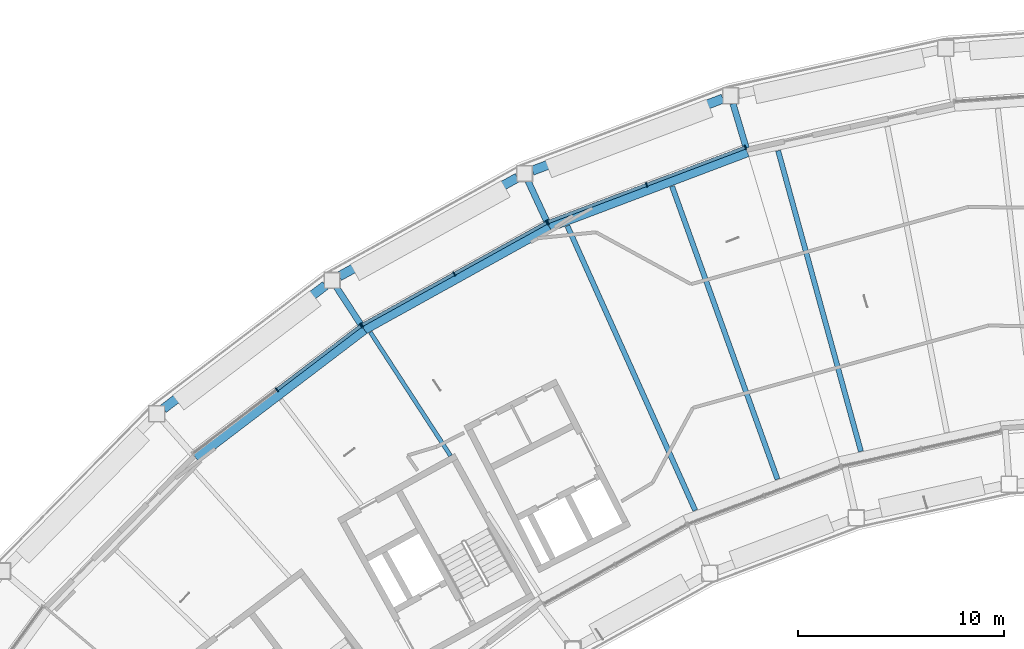
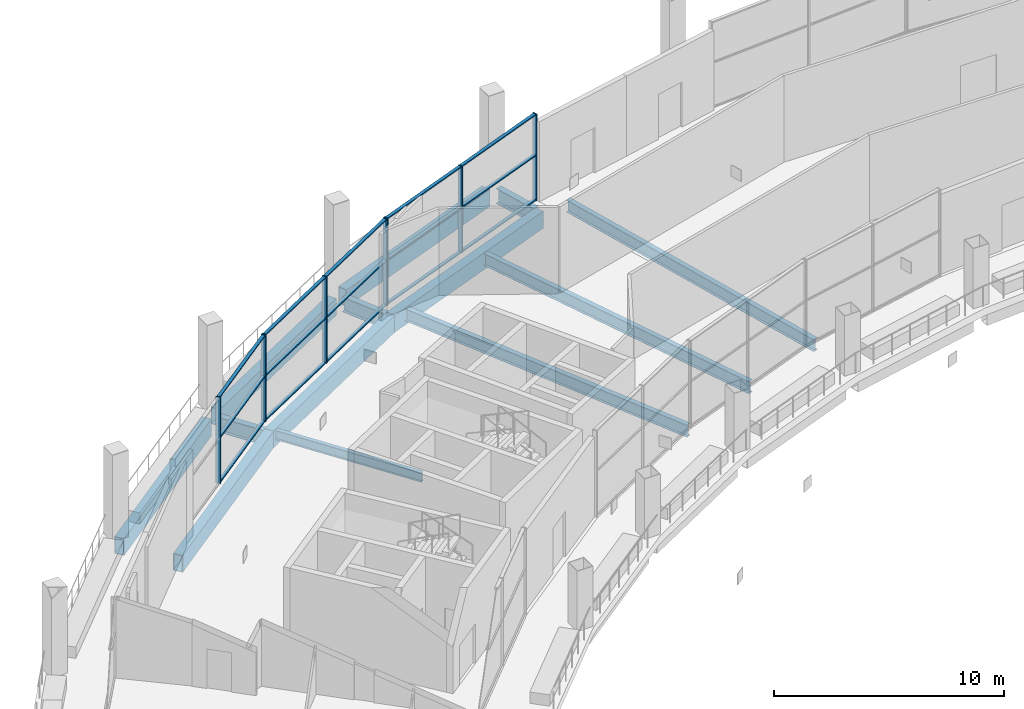
# One storey, part 6 of 29: 23 members, 13 beams, 3 elements without a shape of their own.
"""IFC4 building model written with IfcOpenShell, lengths in metres."""

from ifc_helpers import new_model, si_unit, direction, frame, origin, origin_2d, place, context, subcontext, project, spatial, rectangle, hollow_rectangle, i_section, extrude, material, layer, layer_set, material_profile, profile_set, type_object, element, aggregate, save


model = new_model("IFC4")

# Units and contexts
model_context = context("Model", 3, precision=1e-05, world=origin(), true_north=direction((0.0, 1.0)))
body_context = subcontext(model_context, "Body", "Model", "MODEL_VIEW")
ifc_project = project(units=[si_unit("LENGTHUNIT", "METRE"), si_unit("AREAUNIT", "SQUARE_METRE"), si_unit("VOLUMEUNIT", "CUBIC_METRE"), si_unit("PLANEANGLEUNIT", "RADIAN"), si_unit("MASSUNIT", "GRAM", prefix="KILO")], contexts=[model_context])

# Site, building, storey
site_placement = place(None, origin())
site = spatial("IfcSite", under=ifc_project, at=site_placement, CompositionType="ELEMENT")
building_placement = place(site_placement, origin())
building = spatial("IfcBuilding", under=site, at=building_placement, Name="Tuul Gate Civic Tower", CompositionType="ELEMENT")
storey_placement = place(building_placement, frame((0.0, 0.0, 238.89990234375)))
storey = spatial("IfcBuildingStorey", under=building, at=storey_placement, Name="Sky garden level 2", CompositionType="ELEMENT", Elevation=238.89990234375)

# Curtain wall, members
ifc_material_1 = material(Name="Aluminium", Category="aluminium")
ifc_layer = layer(ifc_material_1, 0.199951171875)
ifc_layer_set = layer_set([ifc_layer], Name="Aluminium")
curtain_wall_type = type_object("IfcCurtainWallType", Name="Curtain wall CW3", PredefinedType="NOTDEFINED", material=ifc_layer_set)
curtain_wall_1_placement = place(storey_placement, origin())
curtain_wall_1 = element("IfcCurtainWall", 1, at=curtain_wall_1_placement, inside=storey, type_object=curtain_wall_type, Name="Curtain wall CW3", PredefinedType="NOTDEFINED")
ifc_material_2 = material(Name="Aluminium", Category="aluminium")
ifc_material_profile_1 = material_profile(ifc_material_2, rectangle(XDim=0.219970703125, YDim=0.06005859375, at=origin_2d()), Name="CW3 mullion")
ifc_profile_set_1 = profile_set([ifc_material_profile_1], Name="Aluminium")
member_type_1 = type_object("IfcMemberType", Name="CW3 mullion", PredefinedType="MULLION", material=ifc_profile_set_1)
member_1_placement = place(storey_placement, frame((-14.421142578125, 12.986328125, 0.0), z_axis=(0.0, 0.0, 1.0), x_axis=(0.353664862395, -0.935372206722, 0.0)))
member_1 = element("IfcMember", 2, at=member_1_placement, type_object=member_type_1, Name="Mullion", PredefinedType="MULLION", context=body_context, shape_type="SweptSolid", body=[
    extrude(rectangle(XDim=0.219970703125, YDim=0.06005859375, at=origin_2d()), origin(), (0.0, 0.0, 1.0), 4.60009765625),
])
member_2_placement = place(storey_placement, frame((-19.21044921875, 11.175537109375, 0.0), z_axis=(0.0, 0.0, 1.0), x_axis=(0.353664862395, -0.935372206722, 0.0)))
member_2 = element("IfcMember", 3, at=member_2_placement, type_object=member_type_1, Name="Mullion", PredefinedType="MULLION", context=body_context, shape_type="SweptSolid", body=[
    extrude(rectangle(XDim=0.219970703125, YDim=0.06005859375, at=origin_2d()), origin(), (0.0, 0.0, 1.0), 4.60009765625),
])
member_3_placement = place(storey_placement, frame((-24.0, 9.364501953125, 0.0), z_axis=(0.0, 0.0, 1.0), x_axis=(0.353664862395, -0.935372206722, 0.0)))
member_3 = element("IfcMember", 4, at=member_3_placement, type_object=member_type_1, Name="Mullion", PredefinedType="MULLION", context=body_context, shape_type="SweptSolid", body=[
    extrude(rectangle(XDim=0.219970703125, YDim=0.06005859375, at=origin_2d()), origin(), (0.0, 0.0, 1.0), 4.60009765625),
])

curtain_wall_2_placement = place(storey_placement, origin())
curtain_wall_2 = element("IfcCurtainWall", 5, at=curtain_wall_2_placement, inside=storey, type_object=curtain_wall_type, Name="Curtain wall CW3", PredefinedType="NOTDEFINED")
member_4_placement = place(storey_placement, frame((-24.05419921875, 9.33935546875, 0.0), z_axis=(0.0, 0.0, 1.0), x_axis=(0.484826682646, -0.874610249079, 0.0)))
member_4 = element("IfcMember", 6, at=member_4_placement, type_object=member_type_1, Name="Mullion", PredefinedType="MULLION", context=body_context, shape_type="SweptSolid", body=[
    extrude(rectangle(XDim=0.219970703125, YDim=0.06005859375, at=origin_2d()), origin(), (0.0, 0.0, 1.0), 4.60009765625),
])
member_5_placement = place(storey_placement, frame((-28.532470703125, 6.85693359375, 0.0), z_axis=(0.0, 0.0, 1.0), x_axis=(0.484826682646, -0.874610249079, 0.0)))
member_5 = element("IfcMember", 7, at=member_5_placement, type_object=member_type_1, Name="Mullion", PredefinedType="MULLION", context=body_context, shape_type="SweptSolid", body=[
    extrude(rectangle(XDim=0.219970703125, YDim=0.06005859375, at=origin_2d()), origin(), (0.0, 0.0, 1.0), 4.60009765625),
])
member_6_placement = place(storey_placement, frame((-33.0107421875, 4.37451171875, 0.0), z_axis=(0.0, 0.0, 1.0), x_axis=(0.484826682646, -0.874610249079, 0.0)))
member_6 = element("IfcMember", 8, at=member_6_placement, type_object=member_type_1, Name="Mullion", PredefinedType="MULLION", context=body_context, shape_type="SweptSolid", body=[
    extrude(rectangle(XDim=0.219970703125, YDim=0.06005859375, at=origin_2d()), origin(), (0.0, 0.0, 1.0), 4.60009765625),
])

curtain_wall_3_placement = place(storey_placement, origin())
curtain_wall_3 = element("IfcCurtainWall", 9, at=curtain_wall_3_placement, inside=storey, type_object=curtain_wall_type, Name="Curtain wall CW3", PredefinedType="NOTDEFINED")
member_7_placement = place(storey_placement, frame((-33.060791015625, 4.341796875, 0.0), z_axis=(0.0, 0.0, 1.0), x_axis=(0.60576239149, -0.795645602675, 0.0)))
member_7 = element("IfcMember", 10, at=member_7_placement, type_object=member_type_1, Name="Mullion", PredefinedType="MULLION", context=body_context, shape_type="SweptSolid", body=[
    extrude(rectangle(XDim=0.219970703125, YDim=0.06005859375, at=origin_2d()), origin(), (0.0, 0.0, 1.0), 4.60009765625),
])
member_8_placement = place(storey_placement, frame((-37.135009765625, 1.239990234375, 0.0), z_axis=(0.0, 0.0, 1.0), x_axis=(0.60576239149, -0.795645602675, 0.0)))
member_8 = element("IfcMember", 11, at=member_8_placement, type_object=member_type_1, Name="Mullion", PredefinedType="MULLION", context=body_context, shape_type="SweptSolid", body=[
    extrude(rectangle(XDim=0.219970703125, YDim=0.06005859375, at=origin_2d()), origin(), (0.0, 0.0, 1.0), 4.60009765625),
])

# Member
ifc_material_3 = material(Name="Aluminium", Category="aluminium")
ifc_material_profile_2 = material_profile(ifc_material_3, rectangle(XDim=0.159912109375, YDim=0.06005859375, at=origin_2d()), Name="CW3 transom")
ifc_profile_set_2 = profile_set([ifc_material_profile_2], Name="Aluminium")
member_type_2 = type_object("IfcMemberType", Name="CW3 transom", PredefinedType="USERDEFINED", material=ifc_profile_set_2)
member_9_placement = place(storey_placement, frame((-14.44921875, 12.975830078125, 0.030029296875), z_axis=(-0.935360040796, -0.353697037142, 0.0), x_axis=(0.353697037142, -0.935360040796, 0.0)))
member_9 = element("IfcMember", 12, at=member_9_placement, type_object=member_type_2, Name="Transom", ObjectType="TRANSOM", PredefinedType="USERDEFINED", context=body_context, shape_type="SweptSolid", body=[
    extrude(rectangle(XDim=0.159912109375, YDim=0.06005859375, at=origin_2d()), origin(), (0.0, 0.0, 1.0), 5.060302734375),
])

member_10_placement = place(storey_placement, frame((-14.44921875, 12.975830078125, 2.400146484375), z_axis=(-0.935360040796, -0.353697037142, 0.0), x_axis=(0.353697037142, -0.935360040796, 0.0)))
member_10 = element("IfcMember", 13, at=member_10_placement, type_object=member_type_2, Name="Transom", ObjectType="TRANSOM", PredefinedType="USERDEFINED", context=body_context, shape_type="SweptSolid", body=[
    extrude(rectangle(XDim=0.159912109375, YDim=0.06005859375, at=origin_2d()), origin(), (0.0, 0.0, 1.0), 5.060302734375),
])

member_11_placement = place(storey_placement, frame((-14.44921875, 12.975830078125, 4.570068359375), z_axis=(-0.935360040796, -0.353697037142, 0.0), x_axis=(0.353697037142, -0.935360040796, 0.0)))
member_11 = element("IfcMember", 14, at=member_11_placement, type_object=member_type_2, Name="Transom", ObjectType="TRANSOM", PredefinedType="USERDEFINED", context=body_context, shape_type="SweptSolid", body=[
    extrude(rectangle(XDim=0.159912109375, YDim=0.06005859375, at=origin_2d()), origin(), (0.0, 0.0, 1.0), 5.060302734375),
])

member_12_placement = place(storey_placement, frame((-19.238525390625, 11.164794921875, 0.030029296875), z_axis=(-0.935382035791, -0.353638865398, 0.0), x_axis=(0.353638865398, -0.935382035791, 0.0)))
member_12 = element("IfcMember", 15, at=member_12_placement, type_object=member_type_2, Name="Transom", ObjectType="TRANSOM", PredefinedType="USERDEFINED", context=body_context, shape_type="SweptSolid", body=[
    extrude(rectangle(XDim=0.159912109375, YDim=0.06005859375, at=origin_2d()), origin(), (0.0, 0.0, 1.0), 5.060302734375),
])

member_13_placement = place(storey_placement, frame((-19.238525390625, 11.164794921875, 2.400146484375), z_axis=(-0.935382035791, -0.353638865398, 0.0), x_axis=(0.353638865398, -0.935382035791, 0.0)))
member_13 = element("IfcMember", 16, at=member_13_placement, type_object=member_type_2, Name="Transom", ObjectType="TRANSOM", PredefinedType="USERDEFINED", context=body_context, shape_type="SweptSolid", body=[
    extrude(rectangle(XDim=0.159912109375, YDim=0.06005859375, at=origin_2d()), origin(), (0.0, 0.0, 1.0), 5.060302734375),
])

member_14_placement = place(storey_placement, frame((-19.238525390625, 11.164794921875, 4.570068359375), z_axis=(-0.935382035791, -0.353638865398, 0.0), x_axis=(0.353638865398, -0.935382035791, 0.0)))
member_14 = element("IfcMember", 17, at=member_14_placement, type_object=member_type_2, Name="Transom", ObjectType="TRANSOM", PredefinedType="USERDEFINED", context=body_context, shape_type="SweptSolid", body=[
    extrude(rectangle(XDim=0.159912109375, YDim=0.06005859375, at=origin_2d()), origin(), (0.0, 0.0, 1.0), 5.060302734375),
])

aggregate(curtain_wall_1, [member_1, member_2, member_3, member_9, member_10, member_11, member_12, member_13, member_14])

member_15_placement = place(storey_placement, frame((-24.08056640625, 9.324951171875, 0.030029296875), z_axis=(-0.874609774473, -0.484827538817, 0.0), x_axis=(0.484827538817, -0.874609774473, 0.0)))
member_15 = element("IfcMember", 18, at=member_15_placement, type_object=member_type_2, Name="Transom", ObjectType="TRANSOM", PredefinedType="USERDEFINED", context=body_context, shape_type="SweptSolid", body=[
    extrude(rectangle(XDim=0.159912109375, YDim=0.06005859375, at=origin_2d()), origin(), (0.0, 0.0, 1.0), 5.060302734375),
])

member_16_placement = place(storey_placement, frame((-24.08056640625, 9.324951171875, 2.400146484375), z_axis=(-0.874609774473, -0.484827538817, 0.0), x_axis=(0.484827538817, -0.874609774473, 0.0)))
member_16 = element("IfcMember", 19, at=member_16_placement, type_object=member_type_2, Name="Transom", ObjectType="TRANSOM", PredefinedType="USERDEFINED", context=body_context, shape_type="SweptSolid", body=[
    extrude(rectangle(XDim=0.159912109375, YDim=0.06005859375, at=origin_2d()), origin(), (0.0, 0.0, 1.0), 5.060302734375),
])

member_17_placement = place(storey_placement, frame((-24.08056640625, 9.324951171875, 4.570068359375), z_axis=(-0.874609774473, -0.484827538817, 0.0), x_axis=(0.484827538817, -0.874609774473, 0.0)))
member_17 = element("IfcMember", 20, at=member_17_placement, type_object=member_type_2, Name="Transom", ObjectType="TRANSOM", PredefinedType="USERDEFINED", context=body_context, shape_type="SweptSolid", body=[
    extrude(rectangle(XDim=0.159912109375, YDim=0.06005859375, at=origin_2d()), origin(), (0.0, 0.0, 1.0), 5.060302734375),
])

member_18_placement = place(storey_placement, frame((-28.558837890625, 6.842529296875, 0.030029296875), z_axis=(-0.874609774473, -0.484827538817, 0.0), x_axis=(0.484827538817, -0.874609774473, 0.0)))
member_18 = element("IfcMember", 21, at=member_18_placement, type_object=member_type_2, Name="Transom", ObjectType="TRANSOM", PredefinedType="USERDEFINED", context=body_context, shape_type="SweptSolid", body=[
    extrude(rectangle(XDim=0.159912109375, YDim=0.06005859375, at=origin_2d()), origin(), (0.0, 0.0, 1.0), 5.060302734375),
])

member_19_placement = place(storey_placement, frame((-28.558837890625, 6.842529296875, 2.400146484375), z_axis=(-0.874609774473, -0.484827538817, 0.0), x_axis=(0.484827538817, -0.874609774473, 0.0)))
member_19 = element("IfcMember", 22, at=member_19_placement, type_object=member_type_2, Name="Transom", ObjectType="TRANSOM", PredefinedType="USERDEFINED", context=body_context, shape_type="SweptSolid", body=[
    extrude(rectangle(XDim=0.159912109375, YDim=0.06005859375, at=origin_2d()), origin(), (0.0, 0.0, 1.0), 5.060302734375),
])

member_20_placement = place(storey_placement, frame((-28.558837890625, 6.842529296875, 4.570068359375), z_axis=(-0.874609774473, -0.484827538817, 0.0), x_axis=(0.484827538817, -0.874609774473, 0.0)))
member_20 = element("IfcMember", 23, at=member_20_placement, type_object=member_type_2, Name="Transom", ObjectType="TRANSOM", PredefinedType="USERDEFINED", context=body_context, shape_type="SweptSolid", body=[
    extrude(rectangle(XDim=0.159912109375, YDim=0.06005859375, at=origin_2d()), origin(), (0.0, 0.0, 1.0), 5.060302734375),
])

aggregate(curtain_wall_2, [member_4, member_5, member_6, member_15, member_16, member_17, member_18, member_19, member_20])

member_21_placement = place(storey_placement, frame((-33.084716796875, 4.32373046875, 0.030029296875), z_axis=(-0.795625482413, -0.60578881777, 0.0), x_axis=(0.60578881777, -0.795625482413, 0.0)))
member_21 = element("IfcMember", 24, at=member_21_placement, type_object=member_type_2, Name="Transom", ObjectType="TRANSOM", PredefinedType="USERDEFINED", context=body_context, shape_type="SweptSolid", body=[
    extrude(rectangle(XDim=0.159912109375, YDim=0.06005859375, at=origin_2d()), origin(), (0.0, 0.0, 1.0), 5.060546875),
])

member_22_placement = place(storey_placement, frame((-33.084716796875, 4.32373046875, 2.400146484375), z_axis=(-0.795625482413, -0.60578881777, 0.0), x_axis=(0.60578881777, -0.795625482413, 0.0)))
member_22 = element("IfcMember", 25, at=member_22_placement, type_object=member_type_2, Name="Transom", ObjectType="TRANSOM", PredefinedType="USERDEFINED", context=body_context, shape_type="SweptSolid", body=[
    extrude(rectangle(XDim=0.159912109375, YDim=0.06005859375, at=origin_2d()), origin(), (0.0, 0.0, 1.0), 5.060546875),
])

member_23_placement = place(storey_placement, frame((-33.084716796875, 4.32373046875, 4.570068359375), z_axis=(-0.795625482413, -0.60578881777, 0.0), x_axis=(0.60578881777, -0.795625482413, 0.0)))
member_23 = element("IfcMember", 26, at=member_23_placement, type_object=member_type_2, Name="Transom", ObjectType="TRANSOM", PredefinedType="USERDEFINED", context=body_context, shape_type="SweptSolid", body=[
    extrude(rectangle(XDim=0.159912109375, YDim=0.06005859375, at=origin_2d()), origin(), (0.0, 0.0, 1.0), 5.060546875),
])

aggregate(curtain_wall_3, [member_7, member_8, member_21, member_22, member_23])

# Beams
ifc_material_4 = material(Name="Steel S355", Category="steel")
ifc_material_profile_3 = material_profile(ifc_material_4, i_section(OverallWidth=0.199951171875, OverallDepth=0.5, WebThickness=0.010009765625, FlangeThickness=0.01611328125, at=origin_2d()), Name="PG500x200x10x16")
ifc_profile_set_3 = profile_set([ifc_material_profile_3], Name="Steel S355")
beam_type_1 = type_object("IfcBeamType", Name="STR-FLOOR BEAM-PG500x200x10x16", PredefinedType="BEAM", material=ifc_profile_set_3)
beam_1_placement = place(storey_placement, frame((-28.717529296875, -1.961181640625, -0.64990234375), z_axis=(-0.544615749765, 0.838685689104, 0.0), x_axis=(-0.838685689104, -0.544615749765, 0.0)))
element("IfcBeam", 27, at=beam_1_placement, inside=storey, type_object=beam_type_1, Name="Floor beam", PredefinedType="BEAM", context=body_context, shape_type="SweptSolid", body=[
    extrude(i_section(OverallWidth=0.199951171875, OverallDepth=0.5, WebThickness=0.010009765625, FlangeThickness=0.01611328125, at=origin_2d()), origin(), (0.0, 0.0, 1.0), 7.140625),
])
ifc_material_5 = material(Name="Steel S355", Category="steel")
ifc_material_profile_4 = material_profile(ifc_material_5, i_section(OverallWidth=0.25, OverallDepth=0.64990234375, WebThickness=0.011962890625, FlangeThickness=0.02001953125, at=origin_2d()), Name="PG650x250x12x20")
ifc_profile_set_4 = profile_set([ifc_material_profile_4], Name="Steel S355")
beam_type_2 = type_object("IfcBeamType", Name="STR-FLOOR BEAM-PG650x250x12x20", PredefinedType="BEAM", material=ifc_profile_set_4)
beam_2_placement = place(storey_placement, frame((-8.819091796875, -1.748046875, -0.724853515625), z_axis=(-0.265532124139, 0.964102012782, 0.0), x_axis=(-0.964102012782, -0.265532124139, 0.0)))
element("IfcBeam", 28, at=beam_2_placement, inside=storey, type_object=beam_type_2, Name="Floor beam", PredefinedType="BEAM", context=body_context, shape_type="SweptSolid", body=[
    extrude(i_section(OverallWidth=0.25, OverallDepth=0.64990234375, WebThickness=0.011962890625, FlangeThickness=0.02001953125, at=origin_2d()), origin(), (0.0, 0.0, 1.0), 15.1201171875),
])
beam_3_placement = place(storey_placement, frame((-12.86328125, -3.1015625, -0.724853515625), z_axis=(-0.338724620543, 0.940885557035, 0.0), x_axis=(-0.940885557035, -0.338724620543, 0.0)))
element("IfcBeam", 29, at=beam_3_placement, inside=storey, type_object=beam_type_2, Name="Floor beam", PredefinedType="BEAM", context=body_context, shape_type="SweptSolid", body=[
    extrude(i_section(OverallWidth=0.25, OverallDepth=0.64990234375, WebThickness=0.011962890625, FlangeThickness=0.02001953125, at=origin_2d()), origin(), (0.0, 0.0, 1.0), 15.1015625),
])
beam_4_placement = place(storey_placement, frame((-16.85400390625, -4.61083984375, -0.724853515625), z_axis=(-0.409905611942, 0.912127945685, 0.0), x_axis=(-0.912127945685, -0.409905611942, 0.0)))
element("IfcBeam", 30, at=beam_4_placement, inside=storey, type_object=beam_type_2, Name="Floor beam", PredefinedType="BEAM", context=body_context, shape_type="SweptSolid", body=[
    extrude(i_section(OverallWidth=0.25, OverallDepth=0.64990234375, WebThickness=0.011962890625, FlangeThickness=0.02001953125, at=origin_2d()), origin(), (0.0, 0.0, 1.0), 15.127197265625),
])
ifc_material_6 = material(Name="Steel S355", Category="steel")
ifc_material_profile_5 = material_profile(ifc_material_6, i_section(OverallWidth=0.300048828125, OverallDepth=0.800048828125, WebThickness=0.013916015625, FlangeThickness=0.02490234375, at=origin_2d()), Name="PG800x300x14x25")
ifc_profile_set_5 = profile_set([ifc_material_profile_5], Name="Steel S355")
beam_type_3 = type_object("IfcBeamType", Name="STR-FLOOR BEAM-PG800x300x14x25", PredefinedType="BEAM", material=ifc_profile_set_5)
beam_5_placement = place(storey_placement, frame((-15.02294921875, 15.112548828125, -0.7998046875), z_axis=(0.285432198287, -0.958398904518, 0.0), x_axis=(0.958398904518, 0.285432198287, 0.0)))
element("IfcBeam", 31, at=beam_5_placement, inside=storey, type_object=beam_type_3, Name="Terrace beam", PredefinedType="BEAM", context=body_context, shape_type="SweptSolid", body=[
    extrude(i_section(OverallWidth=0.300048828125, OverallDepth=0.800048828125, WebThickness=0.013916015625, FlangeThickness=0.02490234375, at=origin_2d()), origin(), (0.0, 0.0, 1.0), 2.25732421875),
])
beam_6_placement = place(storey_placement, frame((-24.955810546875, 11.35595703125, -0.7998046875), z_axis=(0.420456670146, -0.907312618963, 0.0), x_axis=(0.907312618963, 0.420456670146, 0.0)))
element("IfcBeam", 32, at=beam_6_placement, inside=storey, type_object=beam_type_3, Name="Terrace beam", PredefinedType="BEAM", context=body_context, shape_type="SweptSolid", body=[
    extrude(i_section(OverallWidth=0.300048828125, OverallDepth=0.800048828125, WebThickness=0.013916015625, FlangeThickness=0.02490234375, at=origin_2d()), origin(), (0.0, 0.0, 1.0), 2.257568359375),
])
beam_7_placement = place(storey_placement, frame((-34.244384765625, 6.2080078125, -0.7998046875), z_axis=(0.546739393875, -0.837302833618, 0.0), x_axis=(0.837302833618, 0.546739393875, 0.0)))
element("IfcBeam", 33, at=beam_7_placement, inside=storey, type_object=beam_type_3, Name="Terrace beam", PredefinedType="BEAM", context=body_context, shape_type="SweptSolid", body=[
    extrude(i_section(OverallWidth=0.300048828125, OverallDepth=0.800048828125, WebThickness=0.013916015625, FlangeThickness=0.02490234375, at=origin_2d()), origin(), (0.0, 0.0, 1.0), 2.2578125),
])
ifc_material_7 = material(Name="Steel S355", Category="steel")
ifc_material_profile_6 = material_profile(ifc_material_7, hollow_rectangle(XDim=0.449951171875, YDim=0.89990234375, WallThickness=0.02490234375, at=origin_2d()), Name="BOX900x450x25")
ifc_profile_set_6 = profile_set([ifc_material_profile_6], Name="Steel S355")
beam_type_4 = type_object("IfcBeamType", Name="STR-SPANDREL BEAM-BOX900x450x25", PredefinedType="BEAM", material=ifc_profile_set_6)
beam_8_placement = place(storey_placement, frame((-41.066650390625, -2.067626953125, -0.849853515625), z_axis=(0.795617334955, 0.605799518256, 0.0), x_axis=(-0.605799518256, 0.795617334955, 0.0)))
element("IfcBeam", 34, at=beam_8_placement, inside=storey, type_object=beam_type_4, Name="Spandrel beam", PredefinedType="BEAM", context=body_context, shape_type="SweptSolid", body=[
    extrude(hollow_rectangle(XDim=0.449951171875, YDim=0.89990234375, WallThickness=0.02490234375, at=origin_2d()), origin(), (0.0, 0.0, 1.0), 10.263671875),
])
beam_9_placement = place(storey_placement, frame((-32.900634765625, 4.150146484375, -0.849853515625), z_axis=(0.874647089892, 0.484760217163, 0.0), x_axis=(-0.484760217163, 0.874647089892, 0.0)))
element("IfcBeam", 35, at=beam_9_placement, inside=storey, type_object=beam_type_4, Name="Spandrel beam", PredefinedType="BEAM", context=body_context, shape_type="SweptSolid", body=[
    extrude(hollow_rectangle(XDim=0.449951171875, YDim=0.89990234375, WallThickness=0.02490234375, at=origin_2d()), origin(), (0.0, 0.0, 1.0), 10.26513671875),
])
beam_10_placement = place(storey_placement, frame((-23.92236328125, 9.126220703125, -0.849853515625), z_axis=(0.935331357105, 0.353772882532, 0.0), x_axis=(-0.353772882532, 0.935331357105, 0.0)))
element("IfcBeam", 36, at=beam_10_placement, inside=storey, type_object=beam_type_4, Name="Spandrel beam", PredefinedType="BEAM", context=body_context, shape_type="SweptSolid", body=[
    extrude(hollow_rectangle(XDim=0.449951171875, YDim=0.89990234375, WallThickness=0.02490234375, at=origin_2d()), origin(), (0.0, 0.0, 1.0), 10.2646484375),
])
beam_11_placement = place(storey_placement, frame((-15.51123046875, 15.3544921875, -0.849853515625), z_axis=(-0.935345282805, -0.353736062531, 0.0), x_axis=(0.353736062531, -0.935345282805, 0.0)))
element("IfcBeam", 37, at=beam_11_placement, inside=storey, type_object=beam_type_4, Name="Terrace edge beam", PredefinedType="BEAM", context=body_context, shape_type="SweptSolid", body=[
    extrude(hollow_rectangle(XDim=0.449951171875, YDim=0.89990234375, WallThickness=0.02490234375, at=origin_2d()), origin(), (0.0, 0.0, 1.0), 9.877197265625),
])
beam_12_placement = place(storey_placement, frame((-25.473876953125, 11.525146484375, -0.849853515625), z_axis=(-0.874638363012, -0.484775962634, 0.0), x_axis=(0.484775962634, -0.874638363012, 0.0)))
element("IfcBeam", 38, at=beam_12_placement, inside=storey, type_object=beam_type_4, Name="Terrace edge beam", PredefinedType="BEAM", context=body_context, shape_type="SweptSolid", body=[
    extrude(hollow_rectangle(XDim=0.449951171875, YDim=0.89990234375, WallThickness=0.02490234375, at=origin_2d()), origin(), (0.0, 0.0, 1.0), 9.87744140625),
])
beam_13_placement = place(storey_placement, frame((-34.78125, 6.30078125, -0.849853515625), z_axis=(-0.795624601098, -0.605789975261, 0.0), x_axis=(0.605789975261, -0.795624601098, 0.0)))
element("IfcBeam", 39, at=beam_13_placement, inside=storey, type_object=beam_type_4, Name="Terrace edge beam", PredefinedType="BEAM", context=body_context, shape_type="SweptSolid", body=[
    extrude(hollow_rectangle(XDim=0.449951171875, YDim=0.89990234375, WallThickness=0.02490234375, at=origin_2d()), origin(), (0.0, 0.0, 1.0), 9.876953125),
])

save(model, "model.ifc")
